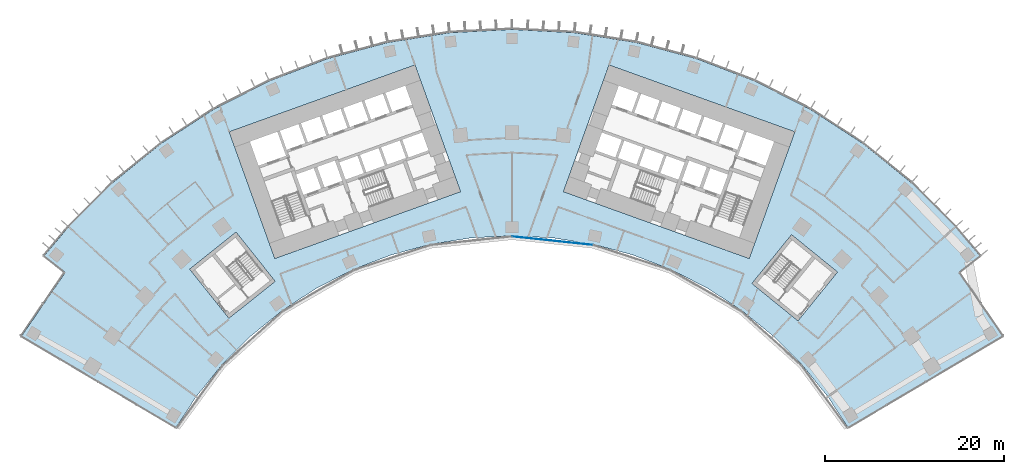
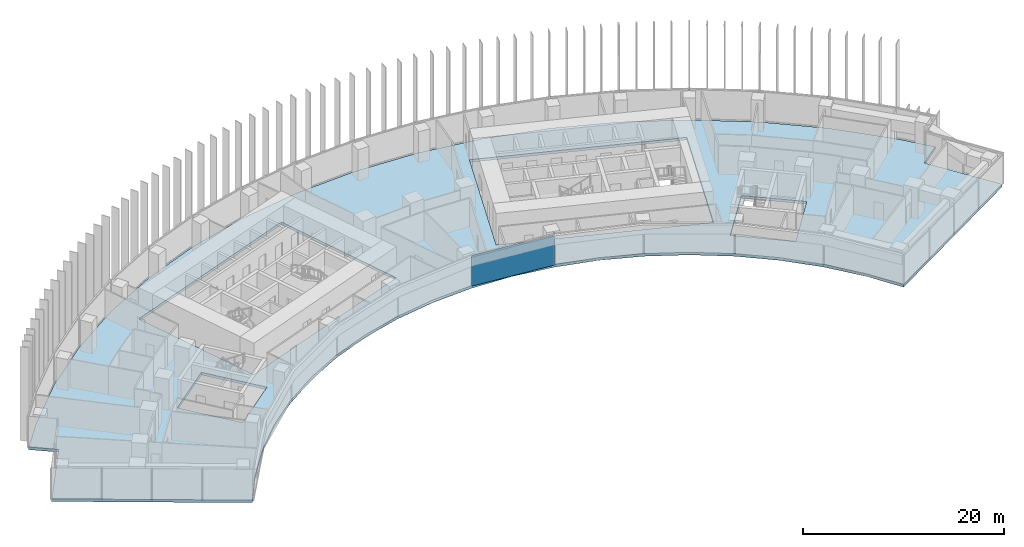
# One storey, part 15 of 24: 1 plate, 1 slab, 1 element without a shape of its own.
"""IFC4 building model written with IfcOpenShell, lengths in metres."""

from ifc_helpers import new_model, si_unit, direction, frame, origin, origin_2d, place, context, subcontext, project, spatial, polyline, rectangle, outline, extrude, material, layer, layer_set, type_object, element, aggregate, save


model = new_model("IFC4")

# Units and contexts
model_context = context("Model", 3, precision=1e-05, world=origin(), true_north=direction((0.0, 1.0)))
body_context = subcontext(model_context, "Body", "Model", "MODEL_VIEW")
ifc_project = project(units=[si_unit("LENGTHUNIT", "METRE"), si_unit("AREAUNIT", "SQUARE_METRE"), si_unit("VOLUMEUNIT", "CUBIC_METRE"), si_unit("PLANEANGLEUNIT", "RADIAN"), si_unit("MASSUNIT", "GRAM", prefix="KILO")], contexts=[model_context])

# Site, building, storey
site_placement = place(None, origin())
site = spatial("IfcSite", under=ifc_project, at=site_placement, CompositionType="ELEMENT")
building_placement = place(site_placement, origin())
building = spatial("IfcBuilding", under=site, at=building_placement, Name="Stone Belt Terrace Tower", CompositionType="ELEMENT")
storey_placement = place(building_placement, frame((0.0, 0.0, 41.39990234375)))
storey = spatial("IfcBuildingStorey", under=building, at=storey_placement, Name="L09", CompositionType="ELEMENT", Elevation=41.39990234375)

# Curtain wall, plate
ifc_material_1 = material(Name="Aluminium 6063-T6 anodised frame", Category="aluminium")
ifc_layer_1 = layer(ifc_material_1, 0.14990234375)
ifc_layer_set_1 = layer_set([ifc_layer_1], Name="CW-B unitised concave-face curtain wall")
curtain_wall_type = type_object("IfcCurtainWallType", Name="CW-B unitised concave-face curtain wall", PredefinedType="NOTDEFINED", material=ifc_layer_set_1)
curtain_wall_placement = place(storey_placement, origin())
curtain_wall = element("IfcCurtainWall", 1, at=curtain_wall_placement, inside=storey, type_object=curtain_wall_type, Name="CW-B concave face L09", PredefinedType="NOTDEFINED")
ifc_material_2 = material(Name="Clear double glazed unit")
ifc_layer_2 = layer(ifc_material_2, 0.030029296875)
ifc_layer_set_2 = layer_set([ifc_layer_2], Name="CW-B glass panel 30")
plate_type = type_object("IfcPlateType", Name="CW-B glass panel 30", PredefinedType="CURTAIN_PANEL", material=ifc_layer_set_2)
plate_placement = place(storey_placement, frame((4.51416015625, 42.9501953125, 0.0), z_axis=(0.0, 0.0, 1.0), x_axis=(0.994521895368, -0.104528463268, 0.0)))
plate = element("IfcPlate", 2, at=plate_placement, type_object=plate_type, Name="CW-B panel 6.1", PredefinedType="CURTAIN_PANEL", context=body_context, shape_type="SweptSolid", body=[
    extrude(rectangle(XDim=9.0126953125, YDim=0.030029296875, at=origin_2d()), origin(), (0.0, 0.0, 1.0), 3.679931640625),
])
aggregate(curtain_wall, [plate])

# Slab
ifc_material_3 = material(Name="Concrete B40", Category="concrete")
ifc_layer_3 = layer(ifc_material_3, 0.320068359375)
ifc_layer_set_3 = layer_set([ifc_layer_3], Name="Floor slab 320 B40")
slab_type = type_object("IfcSlabType", Name="Floor slab 320 B40", PredefinedType="FLOOR", material=ifc_layer_set_3)
slab_placement = place(storey_placement, frame((0.0, 0.0, -0.31982421875)))
element("IfcSlab", 3, at=slab_placement, inside=storey, type_object=slab_type, Name="Floor slab L09", PredefinedType="FLOOR", context=body_context, shape_type="SweptSolid", body=[
    extrude(outline(polyline([(-49.419189453125, 44.497314453125), (-44.497314453125, 49.419189453125), (-39.087646484375, 53.799560546875), (-33.25, 57.5908203125), (-27.048095703125, 60.750732421875), (-20.549560546875, 63.245361328125), (-13.826171875, 65.046875), (-6.951171875, 66.1357421875), (0.0, 66.5), (6.951171875, 66.1357421875), (13.826171875, 65.046875), (20.549560546875, 63.245361328125), (27.048095703125, 60.750732421875), (33.25, 57.5908203125), (39.087646484375, 53.799560546875), (44.497314453125, 49.419189453125), (49.419189453125, 44.497314453125), (52.133544921875, 41.28369140625), (49.78173828125, 39.421142578125), (54.6455078125, 32.343994140625), (37.434326171875, 22.156982421875), (35.192138671875, 25.568603515625), (32.326904296875, 29.107177734375), (29.107177734375, 32.326904296875), (25.568603515625, 35.192138671875), (21.75, 37.672119140625), (17.693115234375, 39.7392578125), (13.442138671875, 41.37109375), (9.044189453125, 42.54931640625), (4.547119140625, 43.26171875), (0.0, 43.5), (-4.547119140625, 43.26171875), (-9.044189453125, 42.54931640625), (-13.442138671875, 41.37109375), (-17.693115234375, 39.7392578125), (-21.75, 37.672119140625), (-25.568603515625, 35.192138671875), (-29.107177734375, 32.326904296875), (-32.326904296875, 29.107177734375), (-35.192138671875, 25.568603515625), (-37.434326171875, 22.156982421875), (-54.6455078125, 32.343994140625), (-49.78173828125, 39.421142578125), (-52.133544921875, 41.28369140625), (-49.419189453125, 44.497314453125)]), holes=[polyline([(-26.434814453125, 40.968994140625), (-5.734619140625, 48.418701171875), (-10.81396484375, 62.532470703125), (-31.51416015625, 55.082763671875), (-26.434814453125, 40.968994140625)]), polyline([(10.81396484375, 62.532470703125), (5.734619140625, 48.418701171875), (26.434814453125, 40.968994140625), (31.51416015625, 55.082763671875), (10.81396484375, 62.532470703125)]), polyline([(-35.91796875, 39.787353515625), (-31.55615234375, 34.3125), (-26.39404296875, 38.425048828125), (-30.756103515625, 43.89990234375), (-35.91796875, 39.787353515625)]), polyline([(36.2783203125, 39.459228515625), (31.15380859375, 43.61865234375), (26.742431640625, 38.18359375), (31.86669921875, 34.024169921875), (36.2783203125, 39.459228515625)])]), origin(), (0.0, 0.0, 1.0), 0.31982421875),
])

save(model, "model.ifc")
